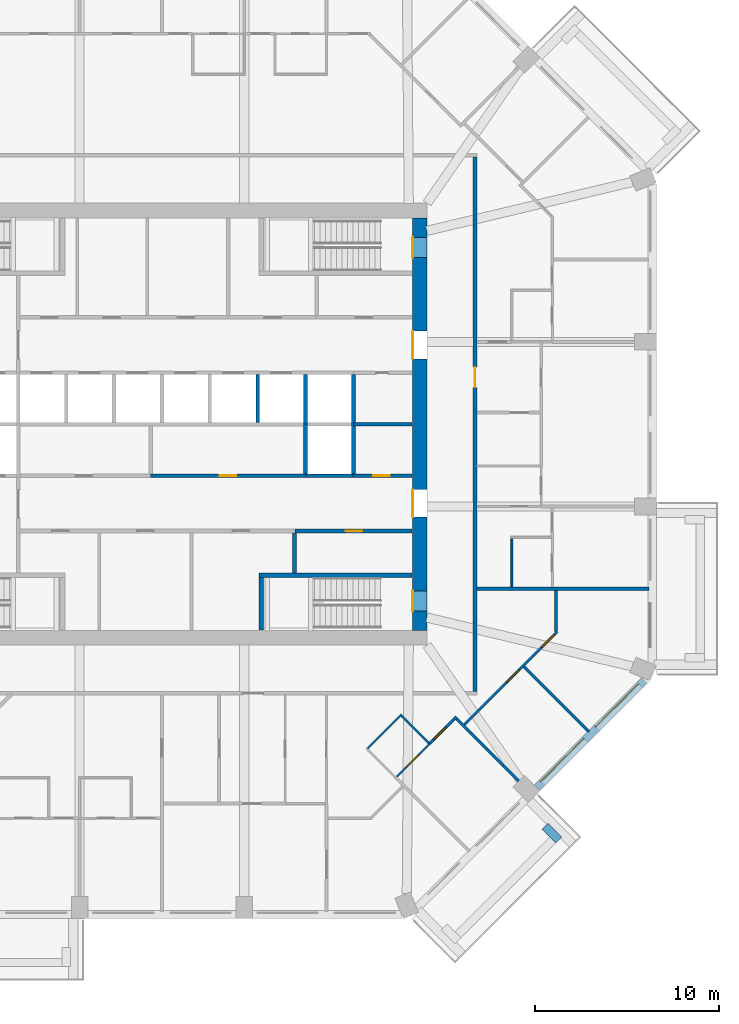
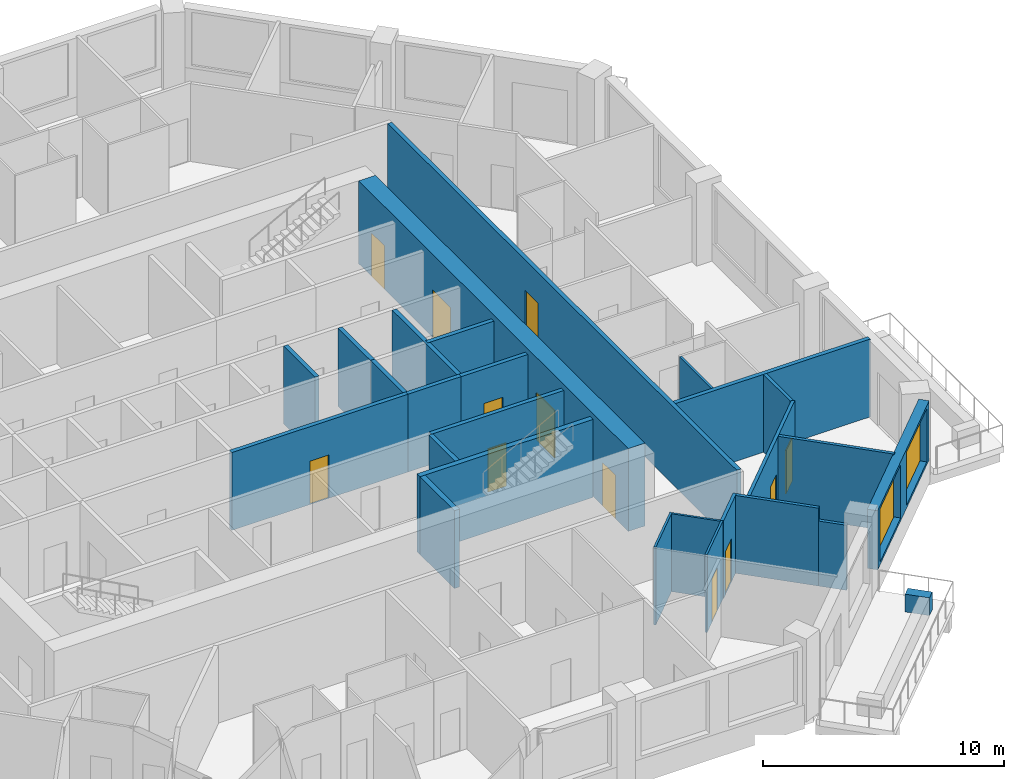
# One storey, part 6 of 12: 27 walls, 12 doors, 2 windows, 14 openings.
"""IFC4 building model written with IfcOpenShell, lengths in metres."""

from ifc_helpers import new_model, si_unit, direction, frame, frame_2d, origin, place, context, subcontext, project, spatial, rectangle, extrude, material, layer, layer_set, type_object, element, fill, save


model = new_model("IFC4")

# Units and contexts
model_context = context("Model", 3, precision=1e-05, world=origin(), true_north=direction((0.0, 1.0)))
body_context = subcontext(model_context, "Body", "Model", "MODEL_VIEW")
ifc_project = project(units=[si_unit("LENGTHUNIT", "METRE"), si_unit("AREAUNIT", "SQUARE_METRE"), si_unit("VOLUMEUNIT", "CUBIC_METRE"), si_unit("PLANEANGLEUNIT", "RADIAN"), si_unit("MASSUNIT", "GRAM", prefix="KILO")], contexts=[model_context])

# Site, building, storey
site_placement = place(None, origin())
site = spatial("IfcSite", under=ifc_project, at=site_placement, CompositionType="ELEMENT")
building_placement = place(site_placement, origin())
building = spatial("IfcBuilding", under=site, at=building_placement, Name="Msitu Wima Residences", CompositionType="ELEMENT")
storey_placement = place(building_placement, frame((0.0, 0.0, 123.300048828125)))
storey = spatial("IfcBuildingStorey", under=building, at=storey_placement, Name="L28", CompositionType="ELEMENT", Elevation=123.300048828125)

# Wall
ifc_material_1 = material(Name="Facing brick")
ifc_layer_1 = layer(ifc_material_1, 0.06494140625, Name="Facing brick")
ifc_material_2 = material(Name="Concrete C40/50", Category="concrete")
ifc_layer_2 = layer(ifc_material_2, 0.156005859375, Name="Concrete C40/50")
ifc_material_3 = material(Name="Waterproofing membrane")
ifc_layer_3 = layer(ifc_material_3, 0.00390625, Name="Waterproofing membrane")
ifc_material_4 = material(Name="Planting soil and planting")
ifc_layer_4 = layer(ifc_material_4, 0.22509765625, Name="Planting soil and planting")
ifc_layer_set_1 = layer_set([ifc_layer_1, ifc_layer_2, ifc_layer_3, ifc_layer_4], Name="Concrete C40/50")
wall_type_1 = type_object("IfcWallType", Name="Balcony planter PLANTER PL450", PredefinedType="USERDEFINED", material=ifc_layer_set_1)
wall_1_placement = place(storey_placement, frame((20.804443359375, -21.829833984375, 0.0), z_axis=(0.0, 0.0, 1.0), x_axis=(0.707106781187, -0.707106781187, 0.0)))
element("IfcWall", 1, at=wall_1_placement, inside=storey, type_object=wall_type_1, Name="Balcony planter SE0 L28", ObjectType="PLANTER", PredefinedType="USERDEFINED", context=body_context, shape_type="SweptSolid", body=[
    extrude(rectangle(XDim=1.050048828125, YDim=0.449951171875, at=frame_2d((0.52490234375, 0.0))), origin(), (0.0, 0.0, 1.0), 0.89990234375),
])

# Wall, openings, windows
ifc_material_5 = material(Name="Brick (red buff mix)", Category="masonry")
ifc_layer_5 = layer(ifc_material_5, 0.449951171875)
ifc_layer_set_2 = layer_set([ifc_layer_5], Name="Brick (red buff mix)")
wall_type_2 = type_object("IfcWallType", Name="Brick infill wall BW450", PredefinedType="SOLIDWALL", material=ifc_layer_set_2)
wall_2_placement = place(storey_placement, frame((20.380126953125, -19.743896484375, 0.89990234375), z_axis=(0.0, 0.0, 1.0), x_axis=(0.707106781187, 0.707106781187, 0.0)))
wall_2 = element("IfcWall", 2, at=wall_2_placement, inside=storey, type_object=wall_type_2, Name="Brick infill wall L28 SE1", PredefinedType="SOLIDWALL", context=body_context, shape_type="SweptSolid", body=[
    extrude(rectangle(XDim=8.251220703125, YDim=0.449951171875, at=frame_2d((4.12548828125, 0.0))), origin(), (0.0, 0.0, 1.0), 3.0),
])
opening_1_placement = place(wall_2_placement, frame((0.37548828125, 0.0, 0.14990234375)))
opening_1 = element("IfcOpeningElement", 3, at=opening_1_placement, cuts=wall_2, Name="Opening W27-29.023", PredefinedType="OPENING", context=body_context, shape_type="SweptSolid", body=[
    extrude(rectangle(XDim=3.300048828125, YDim=2.699951171875, at=frame_2d((1.64990234375, 1.35009765625))), frame((0.0, 0.23486328125, 0.0), z_axis=(0.0, -1.0, 0.0), x_axis=(1.0, 0.0, 0.0)), (0.0, 0.0, 1.0), 0.469970703125),
])
opening_2_placement = place(wall_2_placement, frame((4.57568359375, 0.0, 0.14990234375)))
opening_2 = element("IfcOpeningElement", 4, at=opening_2_placement, cuts=wall_2, Name="Opening W27-29.024", PredefinedType="OPENING", context=body_context, shape_type="SweptSolid", body=[
    extrude(rectangle(XDim=3.300048828125, YDim=2.699951171875, at=frame_2d((1.64990234375, 1.35009765625))), frame((0.0, 0.23486328125, 0.0), z_axis=(0.0, -1.0, 0.0), x_axis=(1.0, 0.0, 0.0)), (0.0, 0.0, 1.0), 0.469970703125),
])
ifc_material_6 = material(Name="Anodised aluminium, bronze finish, clear low-emissivity double glazing", Category="aluminium")
window_type = type_object("IfcWindowType", Name="Window W3300x2700", PartitioningType="DOUBLE_PANEL_VERTICAL", PredefinedType="WINDOW", material=ifc_material_6)
window_1_placement = place(opening_1_placement, origin())
window_1 = element("IfcWindow", 5, at=window_1_placement, inside=storey, type_object=window_type, Name="Window L28 SE1.1", OverallHeight=2.699951171875, OverallWidth=3.300048828125, PartitioningType="SINGLE_PANEL", PredefinedType="WINDOW", context=body_context, shape_type="SweptSolid", body=[
    extrude(rectangle(XDim=3.300048828125, YDim=2.699951171875, at=frame_2d((1.64990234375, 1.35009765625))), frame((0.0, 0.135009765625, 0.0), z_axis=(0.0, -1.0, 0.0), x_axis=(1.0, 0.0, 0.0)), (0.0, 0.0, 1.0), 0.06005859375),
])
fill(opening_1, window_1)
window_2_placement = place(opening_2_placement, origin())
window_2 = element("IfcWindow", 6, at=window_2_placement, inside=storey, type_object=window_type, Name="Window L28 SE1.2", OverallHeight=2.699951171875, OverallWidth=3.300048828125, PartitioningType="SINGLE_PANEL", PredefinedType="WINDOW", context=body_context, shape_type="SweptSolid", body=[
    extrude(rectangle(XDim=3.300048828125, YDim=2.699951171875, at=frame_2d((1.64990234375, 1.35009765625))), frame((0.0, 0.135009765625, 0.0), z_axis=(0.0, -1.0, 0.0), x_axis=(1.0, 0.0, 0.0)), (0.0, 0.0, 1.0), 0.06005859375),
])
fill(opening_2, window_2)

# Wall, openings, doors
ifc_material_7 = material(Name="Concrete C70/85", Category="concrete")
ifc_layer_6 = layer(ifc_material_7, 0.800048828125)
ifc_layer_set_3 = layer_set([ifc_layer_6], Name="Concrete C70/85")
wall_type_3 = type_object("IfcWallType", Name="Core wall CW800 C70/85", PredefinedType="SHEAR", material=ifc_layer_set_3)
wall_3_placement = place(storey_placement, frame((14.0, -11.199951171875, 0.0), z_axis=(0.0, 0.0, 1.0), x_axis=(0.0, 1.0, 0.0)))
wall_3 = element("IfcWall", 7, at=wall_3_placement, inside=storey, type_object=wall_type_3, Name="Core wall", PredefinedType="SHEAR", context=body_context, shape_type="SweptSolid", body=[
    extrude(rectangle(XDim=22.39990234375, YDim=0.800048828125, at=frame_2d((11.199951171875, 0.0))), origin(), (0.0, 0.0, 1.0), 4.199951171875),
])
opening_3_placement = place(wall_3_placement, frame((20.25, 0.0, 0.0)))
opening_3 = element("IfcOpeningElement", 8, at=opening_3_placement, cuts=wall_3, Name="Opening D27-29.035", PredefinedType="OPENING", context=body_context, shape_type="SweptSolid", body=[
    extrude(rectangle(XDim=1.10009765625, YDim=2.199951171875, at=frame_2d((0.550048828125, 1.10009765625))), frame((0.0, 0.409912109375, 0.0), z_axis=(0.0, -1.0, 0.0), x_axis=(1.0, 0.0, 0.0)), (0.0, 0.0, 1.0), 0.820068359375),
])
opening_4_placement = place(wall_3_placement, frame((1.050048828125, 0.0, 0.0)))
opening_4 = element("IfcOpeningElement", 9, at=opening_4_placement, cuts=wall_3, Name="Opening D27-29.036", PredefinedType="OPENING", context=body_context, shape_type="SweptSolid", body=[
    extrude(rectangle(XDim=1.10009765625, YDim=2.199951171875, at=frame_2d((0.550048828125, 1.10009765625))), frame((0.0, 0.409912109375, 0.0), z_axis=(0.0, -1.0, 0.0), x_axis=(1.0, 0.0, 0.0)), (0.0, 0.0, 1.0), 0.820068359375),
])
opening_5_placement = place(wall_3_placement, frame((14.75, 0.0, 0.0)))
opening_5 = element("IfcOpeningElement", 10, at=opening_5_placement, cuts=wall_3, Name="Opening D27-29.025", PredefinedType="OPENING", context=body_context, shape_type="SweptSolid", body=[
    extrude(rectangle(XDim=1.5, YDim=2.39990234375, at=frame_2d((0.75, 1.199951171875))), frame((0.0, 0.409912109375, 0.0), z_axis=(0.0, -1.0, 0.0), x_axis=(1.0, 0.0, 0.0)), (0.0, 0.0, 1.0), 0.820068359375),
])
opening_6_placement = place(wall_3_placement, frame((6.14990234375, 0.0, 0.0)))
opening_6 = element("IfcOpeningElement", 11, at=opening_6_placement, cuts=wall_3, Name="Opening D27-29.026", PredefinedType="OPENING", context=body_context, shape_type="SweptSolid", body=[
    extrude(rectangle(XDim=1.5, YDim=2.39990234375, at=frame_2d((0.75, 1.199951171875))), frame((0.0, 0.409912109375, 0.0), z_axis=(0.0, -1.0, 0.0), x_axis=(1.0, 0.0, 0.0)), (0.0, 0.0, 1.0), 0.820068359375),
])
ifc_material_8 = material(Name="Steel framed glazed door, fire resisting", Category="steel")
door_type_1 = type_object("IfcDoorType", Name="Lobby door D07 1500x2400", OperationType="DOUBLE_DOOR_SINGLE_SWING", PredefinedType="DOOR", material=ifc_material_8)
door_1_placement = place(opening_5_placement, origin())
door_1 = element("IfcDoor", 12, at=door_1_placement, inside=storey, type_object=door_type_1, Name="Lobby door", OperationType="DOUBLE_DOOR_SINGLE_SWING", OverallHeight=2.39990234375, OverallWidth=1.5, PredefinedType="DOOR", context=body_context, shape_type="SweptSolid", body=[
    extrude(rectangle(XDim=1.5, YDim=2.39990234375, at=frame_2d((0.75, 1.199951171875))), frame((0.0, 0.39501953125, 0.0), z_axis=(0.0, -1.0, 0.0), x_axis=(1.0, 0.0, 0.0)), (0.0, 0.0, 1.0), 0.050048828125),
])
fill(opening_5, door_1)
door_2_placement = place(opening_6_placement, origin())
door_2 = element("IfcDoor", 13, at=door_2_placement, inside=storey, type_object=door_type_1, Name="Lobby door", OperationType="DOUBLE_DOOR_SINGLE_SWING", OverallHeight=2.39990234375, OverallWidth=1.5, PredefinedType="DOOR", context=body_context, shape_type="SweptSolid", body=[
    extrude(rectangle(XDim=1.5, YDim=2.39990234375, at=frame_2d((0.75, 1.199951171875))), frame((0.0, 0.39501953125, 0.0), z_axis=(0.0, -1.0, 0.0), x_axis=(1.0, 0.0, 0.0)), (0.0, 0.0, 1.0), 0.050048828125),
])
fill(opening_6, door_2)
ifc_material_9 = material(Name="Steel door, fire resisting, panic bar", Category="steel")
door_type_2 = type_object("IfcDoorType", Name="Stair door D06 1100x2200", OperationType="SINGLE_SWING_LEFT", PredefinedType="DOOR", material=ifc_material_9)
door_3_placement = place(opening_3_placement, origin())
door_3 = element("IfcDoor", 14, at=door_3_placement, inside=storey, type_object=door_type_2, Name="Stair door", OperationType="SINGLE_SWING_LEFT", OverallHeight=2.199951171875, OverallWidth=1.10009765625, PredefinedType="DOOR", context=body_context, shape_type="SweptSolid", body=[
    extrude(rectangle(XDim=1.10009765625, YDim=2.199951171875, at=frame_2d((0.550048828125, 1.10009765625))), frame((0.0, 0.39501953125, 0.0), z_axis=(0.0, -1.0, 0.0), x_axis=(1.0, 0.0, 0.0)), (0.0, 0.0, 1.0), 0.050048828125),
])
fill(opening_3, door_3)
door_4_placement = place(opening_4_placement, origin())
door_4 = element("IfcDoor", 15, at=door_4_placement, inside=storey, type_object=door_type_2, Name="Stair door", OperationType="SINGLE_SWING_RIGHT", OverallHeight=2.199951171875, OverallWidth=1.10009765625, PredefinedType="DOOR", context=body_context, shape_type="SweptSolid", body=[
    extrude(rectangle(XDim=1.10009765625, YDim=2.199951171875, at=frame_2d((0.550048828125, 1.10009765625))), frame((0.0, 0.39501953125, 0.0), z_axis=(0.0, -1.0, 0.0), x_axis=(1.0, 0.0, 0.0)), (0.0, 0.0, 1.0), 0.050048828125),
])
fill(opening_4, door_4)

# Wall, opening, door
ifc_material_10 = material(Name="Plaster")
ifc_layer_7 = layer(ifc_material_10, 0.011962890625, Name="Plaster")
ifc_material_11 = material(Name="Concrete blockwork", Category="masonry")
ifc_layer_8 = layer(ifc_material_11, 0.176025390625, Name="Concrete blockwork")
ifc_layer_9 = layer(ifc_material_10, 0.011962890625, Name="Plaster")
ifc_layer_set_4 = layer_set([ifc_layer_7, ifc_layer_8, ifc_layer_9], Name="Concrete blockwork")
wall_type_4 = type_object("IfcWallType", Name="Corridor wall FW200", PredefinedType="PARTITIONING", material=ifc_layer_set_4)
wall_4_placement = place(storey_placement, frame((17.0, -14.5, 0.0), z_axis=(0.0, 0.0, 1.0), x_axis=(0.0, 1.0, 0.0)))
wall_4 = element("IfcWall", 16, at=wall_4_placement, inside=storey, type_object=wall_type_4, Name="Corridor wall", PredefinedType="PARTITIONING", context=body_context, shape_type="SweptSolid", body=[
    extrude(rectangle(XDim=29.0, YDim=0.199951171875, at=frame_2d((14.5, 0.0))), origin(), (0.0, 0.0, 1.0), 3.949951171875),
])
opening_7_placement = place(wall_4_placement, frame((16.5, 0.0, 0.0)))
opening_7 = element("IfcOpeningElement", 17, at=opening_7_placement, cuts=wall_4, Name="Opening D27-29.008", PredefinedType="OPENING", context=body_context, shape_type="SweptSolid", body=[
    extrude(rectangle(XDim=1.10009765625, YDim=2.39990234375, at=frame_2d((0.550048828125, 1.199951171875))), frame((0.0, 0.10986328125, 0.0), z_axis=(0.0, -1.0, 0.0), x_axis=(1.0, 0.0, 0.0)), (0.0, 0.0, 1.0), 0.219970703125),
])
ifc_material_12 = material(Name="Timber flush door, fire resisting, self-closing", Category="wood")
door_type_3 = type_object("IfcDoorType", Name="Flat entrance door D01 1100x2400", OperationType="SINGLE_SWING_LEFT", PredefinedType="DOOR", material=ifc_material_12)
door_5_placement = place(opening_7_placement, origin())
door_5 = element("IfcDoor", 18, at=door_5_placement, inside=storey, type_object=door_type_3, Name="Flat entrance door", OperationType="SINGLE_SWING_LEFT", OverallHeight=2.39990234375, OverallWidth=1.10009765625, PredefinedType="DOOR", context=body_context, shape_type="SweptSolid", body=[
    extrude(rectangle(XDim=1.10009765625, YDim=2.39990234375, at=frame_2d((0.550048828125, 1.199951171875))), frame((0.0, 0.02490234375, 0.0), z_axis=(0.0, -1.0, 0.0), x_axis=(1.0, 0.0, 0.0)), (0.0, 0.0, 1.0), 0.050048828125),
])
fill(opening_7, door_5)

ifc_layer_10 = layer(ifc_material_10, 0.011962890625, Name="Plaster")
ifc_layer_11 = layer(ifc_material_11, 0.1259765625, Name="Concrete blockwork")
ifc_layer_12 = layer(ifc_material_10, 0.011962890625, Name="Plaster")
ifc_layer_set_5 = layer_set([ifc_layer_10, ifc_layer_11, ifc_layer_12], Name="Concrete blockwork")
wall_type_5 = type_object("IfcWallType", Name="Partition PW150", PredefinedType="PARTITIONING", material=ifc_layer_set_5)
wall_5_placement = place(storey_placement, frame((14.547119140625, -17.339111328125, 0.0), z_axis=(0.0, 0.0, 1.0), x_axis=(0.707106781187, 0.707106781187, 0.0)))
wall_5 = element("IfcWall", 19, at=wall_5_placement, inside=storey, type_object=wall_type_5, Name="Partition", PredefinedType="PARTITIONING", context=body_context, shape_type="SweptSolid", body=[
    extrude(rectangle(XDim=2.049072265625, YDim=0.14990234375, at=frame_2d((1.0244140625, 0.0))), origin(), (0.0, 0.0, 1.0), 3.949951171875),
])
opening_8_placement = place(wall_5_placement, frame((0.300048828125, 0.0, 0.0)))
opening_8 = element("IfcOpeningElement", 20, at=opening_8_placement, cuts=wall_5, Name="Opening D27-29.075", PredefinedType="OPENING", context=body_context, shape_type="SweptSolid", body=[
    extrude(rectangle(XDim=0.949951171875, YDim=2.199951171875, at=frame_2d((0.47509765625, 1.10009765625))), frame((0.0, 0.0849609375, 0.0), z_axis=(0.0, -1.0, 0.0), x_axis=(1.0, 0.0, 0.0)), (0.0, 0.0, 1.0), 0.169921875),
])
ifc_material_13 = material(Name="Timber flush door", Category="wood")
door_type_4 = type_object("IfcDoorType", Name="Room door D12 950x2200", OperationType="SINGLE_SWING_LEFT", PredefinedType="DOOR", material=ifc_material_13)
door_6_placement = place(opening_8_placement, origin())
door_6 = element("IfcDoor", 21, at=door_6_placement, inside=storey, type_object=door_type_4, Name="Room door", OperationType="SINGLE_SWING_LEFT", OverallHeight=2.199951171875, OverallWidth=0.949951171875, PredefinedType="DOOR", context=body_context, shape_type="SweptSolid", body=[
    extrude(rectangle(XDim=0.949951171875, YDim=2.199951171875, at=frame_2d((0.47509765625, 1.10009765625))), frame((0.0, 0.02490234375, 0.0), z_axis=(0.0, -1.0, 0.0), x_axis=(1.0, 0.0, 0.0)), (0.0, 0.0, 1.0), 0.050048828125),
])
fill(opening_8, door_6)

# Walls
wall_6_placement = place(storey_placement, frame((15.99609375, -15.99609375, 0.0), z_axis=(0.0, 0.0, 1.0), x_axis=(0.707106781187, -0.707106781187, 0.0)))
element("IfcWall", 22, at=wall_6_placement, inside=storey, type_object=wall_type_5, Name="Partition", PredefinedType="PARTITIONING", context=body_context, shape_type="SweptSolid", body=[
    extrude(rectangle(XDim=3.56591796875, YDim=0.14990234375, at=frame_2d((1.782958984375, 0.0))), origin(), (0.0, 0.0, 1.0), 3.949951171875),
])
wall_7_placement = place(storey_placement, frame((18.517578125, -18.517578125, 0.0), z_axis=(0.0, 0.0, 1.0), x_axis=(0.707106781187, -0.707106781187, 0.0)))
element("IfcWall", 23, at=wall_7_placement, inside=storey, type_object=wall_type_5, Name="Partition", PredefinedType="PARTITIONING", context=body_context, shape_type="SweptSolid", body=[
    extrude(rectangle(XDim=1.209228515625, YDim=0.14990234375, at=frame_2d((0.6044921875, 0.0))), origin(), (0.0, 0.0, 1.0), 3.300048828125),
])

# Wall, openings, doors
wall_8_placement = place(storey_placement, frame((16.42041015625, -16.314453125, 0.0), z_axis=(0.0, 0.0, 1.0), x_axis=(0.707106781187, 0.707106781187, 0.0)))
wall_8 = element("IfcWall", 24, at=wall_8_placement, inside=storey, type_object=wall_type_5, Name="Partition", PredefinedType="PARTITIONING", context=body_context, shape_type="SweptSolid", body=[
    extrude(rectangle(XDim=7.117431640625, YDim=0.14990234375, at=frame_2d((3.55859375, 0.0))), origin(), (0.0, 0.0, 1.0), 3.949951171875),
])
opening_9_placement = place(wall_8_placement, frame((3.25, 0.0, 0.0)))
opening_9 = element("IfcOpeningElement", 25, at=opening_9_placement, cuts=wall_8, Name="Opening D27-29.074", PredefinedType="OPENING", context=body_context, shape_type="SweptSolid", body=[
    extrude(rectangle(XDim=0.949951171875, YDim=2.199951171875, at=frame_2d((0.47509765625, 1.10009765625))), frame((0.0, 0.0849609375, 0.0), z_axis=(0.0, -1.0, 0.0), x_axis=(1.0, 0.0, 0.0)), (0.0, 0.0, 1.0), 0.169921875),
])
opening_10_placement = place(wall_8_placement, frame((5.949951171875, 0.0, 0.0)))
opening_10 = element("IfcOpeningElement", 26, at=opening_10_placement, cuts=wall_8, Name="Opening D27-29.077", PredefinedType="OPENING", context=body_context, shape_type="SweptSolid", body=[
    extrude(rectangle(XDim=0.949951171875, YDim=2.199951171875, at=frame_2d((0.47509765625, 1.10009765625))), frame((0.0, 0.0849609375, 0.0), z_axis=(0.0, -1.0, 0.0), x_axis=(1.0, 0.0, 0.0)), (0.0, 0.0, 1.0), 0.169921875),
])
door_7_placement = place(opening_9_placement, origin())
door_7 = element("IfcDoor", 27, at=door_7_placement, inside=storey, type_object=door_type_4, Name="Room door", OperationType="SINGLE_SWING_LEFT", OverallHeight=2.199951171875, OverallWidth=0.949951171875, PredefinedType="DOOR", context=body_context, shape_type="SweptSolid", body=[
    extrude(rectangle(XDim=0.949951171875, YDim=2.199951171875, at=frame_2d((0.47509765625, 1.10009765625))), frame((0.0, 0.02490234375, 0.0), z_axis=(0.0, -1.0, 0.0), x_axis=(1.0, 0.0, 0.0)), (0.0, 0.0, 1.0), 0.050048828125),
])
fill(opening_9, door_7)
door_8_placement = place(opening_10_placement, origin())
door_8 = element("IfcDoor", 28, at=door_8_placement, inside=storey, type_object=door_type_4, Name="Room door", OperationType="SINGLE_SWING_RIGHT", OverallHeight=2.199951171875, OverallWidth=0.949951171875, PredefinedType="DOOR", context=body_context, shape_type="SweptSolid", body=[
    extrude(rectangle(XDim=0.949951171875, YDim=2.199951171875, at=frame_2d((0.47509765625, 1.10009765625))), frame((0.0, 0.02490234375, 0.0), z_axis=(0.0, -1.0, 0.0), x_axis=(1.0, 0.0, 0.0)), (0.0, 0.0, 1.0), 0.050048828125),
])
fill(opening_10, door_8)

# Walls
wall_9_placement = place(storey_placement, frame((19.6689453125, -13.171875, 0.0), z_axis=(0.0, 0.0, 1.0), x_axis=(0.707106781187, -0.707106781187, 0.0)))
element("IfcWall", 29, at=wall_9_placement, inside=storey, type_object=wall_type_5, Name="Partition", PredefinedType="PARTITIONING", context=body_context, shape_type="SweptSolid", body=[
    extrude(rectangle(XDim=4.980224609375, YDim=0.14990234375, at=frame_2d((2.490234375, 0.0))), origin(), (0.0, 0.0, 1.0), 3.949951171875),
])
wall_10_placement = place(storey_placement, frame((21.39990234375, -11.259765625, 0.0), z_axis=(0.0, 0.0, 1.0), x_axis=(0.0, 1.0, 0.0)))
element("IfcWall", 30, at=wall_10_placement, inside=storey, type_object=wall_type_5, Name="Partition", PredefinedType="PARTITIONING", context=body_context, shape_type="SweptSolid", body=[
    extrude(rectangle(XDim=2.222412109375, YDim=0.14990234375, at=frame_2d((1.111328125, 0.0))), origin(), (0.0, 0.0, 1.0), 3.949951171875),
])
ifc_layer_13 = layer(ifc_material_10, 0.011962890625, Name="Plaster")
ifc_material_14 = material(Name="Dense concrete blockwork", Category="masonry")
ifc_layer_14 = layer(ifc_material_14, 0.176025390625, Name="Dense concrete blockwork")
ifc_layer_15 = layer(ifc_material_10, 0.011962890625, Name="Plaster")
ifc_layer_set_6 = layer_set([ifc_layer_13, ifc_layer_14, ifc_layer_15], Name="Dense concrete blockwork")
wall_type_6 = type_object("IfcWallType", Name="Party wall PW200", PredefinedType="PARTITIONING", material=ifc_layer_set_6)
wall_11_placement = place(storey_placement, frame((17.10009765625, -8.937255859375, 0.0), z_axis=(0.0, 0.0, 1.0), x_axis=(1.0, 0.0, 0.0)))
element("IfcWall", 31, at=wall_11_placement, inside=storey, type_object=wall_type_6, Name="Party wall", PredefinedType="PARTITIONING", context=body_context, shape_type="SweptSolid", body=[
    extrude(rectangle(XDim=9.35498046875, YDim=0.199951171875, at=frame_2d((4.677490234375, 0.0))), origin(), (0.0, 0.0, 1.0), 3.949951171875),
])

# Wall, opening, door
ifc_layer_16 = layer(ifc_material_10, 0.011962890625, Name="Plaster")
ifc_material_15 = material(Name="Reinforced concrete blockwork", Category="masonry")
ifc_layer_17 = layer(ifc_material_15, 0.176025390625, Name="Reinforced concrete blockwork")
ifc_layer_18 = layer(ifc_material_10, 0.011962890625, Name="Plaster")
ifc_layer_set_7 = layer_set([ifc_layer_16, ifc_layer_17, ifc_layer_18], Name="Reinforced concrete blockwork")
wall_type_7 = type_object("IfcWallType", Name="Plant and riser wall PL200", PredefinedType="PARTITIONING", material=ifc_layer_set_7)
wall_12_placement = place(storey_placement, frame((-0.6201171875, -2.800048828125, 0.0), z_axis=(0.0, 0.0, 1.0), x_axis=(1.0, 0.0, 0.0)))
wall_12 = element("IfcWall", 32, at=wall_12_placement, inside=storey, type_object=wall_type_7, Name="Plant and riser wall", PredefinedType="PARTITIONING", context=body_context, shape_type="SweptSolid", body=[
    extrude(rectangle(XDim=8.440185546875, YDim=0.199951171875, at=frame_2d((4.22021484375, 0.0))), origin(), (0.0, 0.0, 1.0), 3.949951171875),
])
opening_11_placement = place(wall_12_placement, frame((3.75, 0.0, 0.0)))
opening_11 = element("IfcOpeningElement", 33, at=opening_11_placement, cuts=wall_12, Name="Opening D27-29.030", PredefinedType="OPENING", context=body_context, shape_type="SweptSolid", body=[
    extrude(rectangle(XDim=0.89990234375, YDim=2.199951171875, at=frame_2d((0.449951171875, 1.10009765625))), frame((0.0, 0.10986328125, 0.0), z_axis=(0.0, -1.0, 0.0), x_axis=(1.0, 0.0, 0.0)), (0.0, 0.0, 1.0), 0.219970703125),
])
door_type_5 = type_object("IfcDoorType", Name="Service door D05 900x2200", OperationType="SINGLE_SWING_LEFT", PredefinedType="DOOR", material=ifc_material_13)
door_9_placement = place(opening_11_placement, origin())
door_9 = element("IfcDoor", 34, at=door_9_placement, inside=storey, type_object=door_type_5, Name="Service door", OperationType="SINGLE_SWING_LEFT", OverallHeight=2.199951171875, OverallWidth=0.89990234375, PredefinedType="DOOR", context=body_context, shape_type="SweptSolid", body=[
    extrude(rectangle(XDim=0.89990234375, YDim=2.199951171875, at=frame_2d((0.449951171875, 1.10009765625))), frame((0.0, 0.02490234375, 0.0), z_axis=(0.0, -1.0, 0.0), x_axis=(1.0, 0.0, 0.0)), (0.0, 0.0, 1.0), 0.050048828125),
])
fill(opening_11, door_9)

wall_13_placement = place(storey_placement, frame((7.219970703125, -5.800048828125, 0.0), z_axis=(0.0, 0.0, 1.0), x_axis=(1.0, 0.0, 0.0)))
wall_13 = element("IfcWall", 35, at=wall_13_placement, inside=storey, type_object=wall_type_7, Name="Plant and riser wall", PredefinedType="PARTITIONING", context=body_context, shape_type="SweptSolid", body=[
    extrude(rectangle(XDim=6.35009765625, YDim=0.199951171875, at=frame_2d((3.175048828125, 0.0))), origin(), (0.0, 0.0, 1.0), 3.949951171875),
])
opening_12_placement = place(wall_13_placement, frame((2.75, 0.0, 0.0)))
opening_12 = element("IfcOpeningElement", 36, at=opening_12_placement, cuts=wall_13, Name="Opening D27-29.024", PredefinedType="OPENING", context=body_context, shape_type="SweptSolid", body=[
    extrude(rectangle(XDim=0.89990234375, YDim=2.199951171875, at=frame_2d((0.449951171875, 1.10009765625))), frame((0.0, 0.10986328125, 0.0), z_axis=(0.0, -1.0, 0.0), x_axis=(1.0, 0.0, 0.0)), (0.0, 0.0, 1.0), 0.219970703125),
])
door_10_placement = place(opening_12_placement, origin())
door_10 = element("IfcDoor", 37, at=door_10_placement, inside=storey, type_object=door_type_5, Name="Service door", OperationType="SINGLE_SWING_RIGHT", OverallHeight=2.199951171875, OverallWidth=0.89990234375, PredefinedType="DOOR", context=body_context, shape_type="SweptSolid", body=[
    extrude(rectangle(XDim=0.89990234375, YDim=2.199951171875, at=frame_2d((0.449951171875, 1.10009765625))), frame((0.0, 0.02490234375, 0.0), z_axis=(0.0, -1.0, 0.0), x_axis=(1.0, 0.0, 0.0)), (0.0, 0.0, 1.0), 0.050048828125),
])
fill(opening_12, door_10)

# Wall
wall_14_placement = place(storey_placement, frame((7.199951171875, -8.074951171875, 0.0), z_axis=(0.0, 0.0, 1.0), x_axis=(0.0, 1.0, 0.0)))
element("IfcWall", 38, at=wall_14_placement, inside=storey, type_object=wall_type_7, Name="Plant and riser wall", PredefinedType="PARTITIONING", context=body_context, shape_type="SweptSolid", body=[
    extrude(rectangle(XDim=2.175048828125, YDim=0.199951171875, at=frame_2d((1.08740234375, 0.0))), origin(), (0.0, 0.0, 1.0), 3.949951171875),
])

# Wall, opening, door
wall_15_placement = place(storey_placement, frame((10.3798828125, -2.800048828125, 0.0), z_axis=(0.0, 0.0, 1.0), x_axis=(1.0, 0.0, 0.0)))
wall_15 = element("IfcWall", 39, at=wall_15_placement, inside=storey, type_object=wall_type_7, Name="Plant and riser wall", PredefinedType="PARTITIONING", context=body_context, shape_type="SweptSolid", body=[
    extrude(rectangle(XDim=3.190185546875, YDim=0.199951171875, at=frame_2d((1.59521484375, 0.0))), origin(), (0.0, 0.0, 1.0), 3.949951171875),
])
opening_13_placement = place(wall_15_placement, frame((1.10009765625, 0.0, 0.0)))
opening_13 = element("IfcOpeningElement", 40, at=opening_13_placement, cuts=wall_15, Name="Opening D27-29.011", PredefinedType="OPENING", context=body_context, shape_type="SweptSolid", body=[
    extrude(rectangle(XDim=0.89990234375, YDim=2.199951171875, at=frame_2d((0.449951171875, 1.10009765625))), frame((0.0, 0.10986328125, 0.0), z_axis=(0.0, -1.0, 0.0), x_axis=(1.0, 0.0, 0.0)), (0.0, 0.0, 1.0), 0.219970703125),
])
door_11_placement = place(opening_13_placement, origin())
door_11 = element("IfcDoor", 41, at=door_11_placement, inside=storey, type_object=door_type_5, Name="Service door", OperationType="SINGLE_SWING_LEFT", OverallHeight=2.199951171875, OverallWidth=0.89990234375, PredefinedType="DOOR", context=body_context, shape_type="SweptSolid", body=[
    extrude(rectangle(XDim=0.89990234375, YDim=2.199951171875, at=frame_2d((0.449951171875, 1.10009765625))), frame((0.0, 0.02490234375, 0.0), z_axis=(0.0, -1.0, 0.0), x_axis=(1.0, 0.0, 0.0)), (0.0, 0.0, 1.0), 0.050048828125),
])
fill(opening_13, door_11)

# Walls
wall_16_placement = place(storey_placement, frame((10.39990234375, 0.0, 0.0), z_axis=(0.0, 0.0, 1.0), x_axis=(1.0, 0.0, 0.0)))
element("IfcWall", 42, at=wall_16_placement, inside=storey, type_object=wall_type_7, Name="Plant and riser wall", PredefinedType="PARTITIONING", context=body_context, shape_type="SweptSolid", body=[
    extrude(rectangle(XDim=3.170166015625, YDim=0.199951171875, at=frame_2d((1.5849609375, 0.0))), origin(), (0.0, 0.0, 1.0), 3.949951171875),
])
ifc_material_16 = material(Name="Fire-rated board")
ifc_layer_19 = layer(ifc_material_16, 0.02490234375, Name="Fire-rated board")
ifc_material_17 = material(Name="Light-gauge stud framing with mineral wool")
ifc_layer_20 = layer(ifc_material_17, 0.14990234375, Name="Light-gauge stud framing with mineral wool")
ifc_layer_21 = layer(ifc_material_16, 0.02490234375, Name="Fire-rated board")
ifc_layer_set_8 = layer_set([ifc_layer_19, ifc_layer_20, ifc_layer_21], Name="Light-gauge stud framing with mineral wool")
wall_type_8 = type_object("IfcWallType", Name="Shaft wall SH200", PredefinedType="PARTITIONING", material=ifc_layer_set_8)
wall_17_placement = place(storey_placement, frame((5.199951171875, 0.10009765625, 0.0), z_axis=(0.0, 0.0, 1.0), x_axis=(0.0, 1.0, 0.0)))
element("IfcWall", 43, at=wall_17_placement, inside=storey, type_object=wall_type_8, Name="Shaft wall", PredefinedType="PARTITIONING", context=body_context, shape_type="SweptSolid", body=[
    extrude(rectangle(XDim=2.599853515625, YDim=0.199951171875, at=frame_2d((1.2998046875, 0.0))), origin(), (0.0, 0.0, 1.0), 3.949951171875),
])
wall_18_placement = place(storey_placement, frame((7.800048828125, -2.699951171875, 0.0), z_axis=(0.0, 0.0, 1.0), x_axis=(0.0, 1.0, 0.0)))
element("IfcWall", 44, at=wall_18_placement, inside=storey, type_object=wall_type_8, Name="Shaft wall", PredefinedType="PARTITIONING", context=body_context, shape_type="SweptSolid", body=[
    extrude(rectangle(XDim=2.699951171875, YDim=0.199951171875, at=frame_2d((1.35009765625, 0.0))), origin(), (0.0, 0.0, 1.0), 3.949951171875),
])
wall_19_placement = place(storey_placement, frame((7.820068359375, -2.800048828125, 0.0), z_axis=(0.0, 0.0, 1.0), x_axis=(1.0, 0.0, 0.0)))
element("IfcWall", 45, at=wall_19_placement, inside=storey, type_object=wall_type_8, Name="Shaft wall", PredefinedType="PARTITIONING", context=body_context, shape_type="SweptSolid", body=[
    extrude(rectangle(XDim=2.559814453125, YDim=0.199951171875, at=frame_2d((1.27978515625, 0.0))), origin(), (0.0, 0.0, 1.0), 3.949951171875),
])
wall_20_placement = place(storey_placement, frame((7.800048828125, 0.0, 0.0), z_axis=(0.0, 0.0, 1.0), x_axis=(0.0, 1.0, 0.0)))
element("IfcWall", 46, at=wall_20_placement, inside=storey, type_object=wall_type_8, Name="Shaft wall", PredefinedType="PARTITIONING", context=body_context, shape_type="SweptSolid", body=[
    extrude(rectangle(XDim=2.699951171875, YDim=0.199951171875, at=frame_2d((1.35009765625, 0.0))), origin(), (0.0, 0.0, 1.0), 3.949951171875),
])
wall_21_placement = place(storey_placement, frame((10.39990234375, -2.699951171875, 0.0), z_axis=(0.0, 0.0, 1.0), x_axis=(0.0, 1.0, 0.0)))
element("IfcWall", 47, at=wall_21_placement, inside=storey, type_object=wall_type_8, Name="Shaft wall", PredefinedType="PARTITIONING", context=body_context, shape_type="SweptSolid", body=[
    extrude(rectangle(XDim=5.39990234375, YDim=0.199951171875, at=frame_2d((2.699951171875, 0.0))), origin(), (0.0, 0.0, 1.0), 3.949951171875),
])
ifc_material_18 = material(Name="Concrete C50/60", Category="concrete")
ifc_layer_22 = layer(ifc_material_18, 0.25)
ifc_layer_set_9 = layer_set([ifc_layer_22], Name="Concrete C50/60")
wall_type_9 = type_object("IfcWallType", Name="Stair enclosure wall SW250", PredefinedType="SHEAR", material=ifc_layer_set_9)
wall_22_placement = place(storey_placement, frame((5.39990234375, -11.169921875, 0.0), z_axis=(0.0, 0.0, 1.0), x_axis=(0.0, 1.0, 0.0)))
element("IfcWall", 48, at=wall_22_placement, inside=storey, type_object=wall_type_9, Name="Stair enclosure wall", PredefinedType="SHEAR", context=body_context, shape_type="SweptSolid", body=[
    extrude(rectangle(XDim=2.844970703125, YDim=0.25, at=frame_2d((1.42236328125, 0.0))), origin(), (0.0, 0.0, 1.0), 3.949951171875),
])
wall_23_placement = place(storey_placement, frame((5.27490234375, -8.199951171875, 0.0), z_axis=(0.0, 0.0, 1.0), x_axis=(1.0, 0.0, 0.0)))
element("IfcWall", 49, at=wall_23_placement, inside=storey, type_object=wall_type_9, Name="Stair enclosure wall", PredefinedType="SHEAR", context=body_context, shape_type="SweptSolid", body=[
    extrude(rectangle(XDim=8.295166015625, YDim=0.25, at=frame_2d((4.1474609375, 0.0))), origin(), (0.0, 0.0, 1.0), 3.949951171875),
])
ifc_material_19 = material(Name="Ceramic tiles")
ifc_layer_23 = layer(ifc_material_19, 0.008056640625, Name="Ceramic tiles")
ifc_material_20 = material(Name="Moisture-resistant board")
ifc_layer_24 = layer(ifc_material_20, 0.012451171875, Name="Moisture-resistant board")
ifc_layer_25 = layer(ifc_material_17, 0.06689453125, Name="Light-gauge stud framing with mineral wool")
ifc_layer_26 = layer(ifc_material_20, 0.012451171875, Name="Moisture-resistant board")
ifc_layer_set_10 = layer_set([ifc_layer_23, ifc_layer_24, ifc_layer_25, ifc_layer_26], Name="Light-gauge stud framing with mineral wool")
wall_type_10 = type_object("IfcWallType", Name="Wet wall PW100", PredefinedType="PARTITIONING", material=ifc_layer_set_10)
wall_24_placement = place(storey_placement, frame((11.17431640625, -17.6005859375, 0.0), z_axis=(0.0, 0.0, 1.0), x_axis=(0.707106781187, 0.707106781187, 0.0)))
element("IfcWall", 50, at=wall_24_placement, inside=storey, type_object=wall_type_10, Name="Wet wall", PredefinedType="PARTITIONING", context=body_context, shape_type="SweptSolid", body=[
    extrude(rectangle(XDim=2.599853515625, YDim=0.10009765625, at=frame_2d((1.2998046875, 0.0))), origin(), (0.0, 0.0, 1.0), 3.949951171875),
])

# Wall, opening, door
wall_25_placement = place(storey_placement, frame((12.74755859375, -19.138671875, 0.0), z_axis=(0.0, 0.0, 1.0), x_axis=(0.707106781187, 0.707106781187, 0.0)))
wall_25 = element("IfcWall", 51, at=wall_25_placement, inside=storey, type_object=wall_type_10, Name="Wet wall", PredefinedType="PARTITIONING", context=body_context, shape_type="SweptSolid", body=[
    extrude(rectangle(XDim=2.544921875, YDim=0.10009765625, at=frame_2d((1.2724609375, 0.0))), origin(), (0.0, 0.0, 1.0), 3.949951171875),
])
opening_14_placement = place(wall_25_placement, frame((0.75, 0.0, 0.0)))
opening_14 = element("IfcOpeningElement", 52, at=opening_14_placement, cuts=wall_25, Name="Opening D27-29.076", PredefinedType="OPENING", context=body_context, shape_type="SweptSolid", body=[
    extrude(rectangle(XDim=0.89990234375, YDim=2.199951171875, at=frame_2d((0.449951171875, 1.10009765625))), frame((0.0, 0.06005859375, 0.0), z_axis=(0.0, -1.0, 0.0), x_axis=(1.0, 0.0, 0.0)), (0.0, 0.0, 1.0), 0.1201171875),
])
ifc_material_21 = material(Name="Timber flush door, moisture resistant", Category="wood")
door_type_6 = type_object("IfcDoorType", Name="Bathroom door D03 900x2200", OperationType="SINGLE_SWING_LEFT", PredefinedType="DOOR", material=ifc_material_21)
door_12_placement = place(opening_14_placement, origin())
door_12 = element("IfcDoor", 53, at=door_12_placement, inside=storey, type_object=door_type_6, Name="Bathroom door", OperationType="SINGLE_SWING_LEFT", OverallHeight=2.199951171875, OverallWidth=0.89990234375, PredefinedType="DOOR", context=body_context, shape_type="SweptSolid", body=[
    extrude(rectangle(XDim=0.89990234375, YDim=2.199951171875, at=frame_2d((0.449951171875, 1.10009765625))), frame((0.0, 0.02490234375, 0.0), z_axis=(0.0, -1.0, 0.0), x_axis=(1.0, 0.0, 0.0)), (0.0, 0.0, 1.0), 0.050048828125),
])
fill(opening_14, door_12)

# Walls
wall_26_placement = place(storey_placement, frame((13.0126953125, -15.8330078125, 0.0), z_axis=(0.0, 0.0, 1.0), x_axis=(0.707164905125, -0.70704865247, 0.0)))
element("IfcWall", 54, at=wall_26_placement, inside=storey, type_object=wall_type_10, Name="Wet wall", PredefinedType="PARTITIONING", context=body_context, shape_type="SweptSolid", body=[
    extrude(rectangle(XDim=2.10009765625, YDim=0.10009765625, at=frame_2d((1.050048828125, 0.0))), origin(), (0.0, 0.0, 1.0), 3.949951171875),
])
wall_27_placement = place(storey_placement, frame((19.0, -8.837158203125, 0.0), z_axis=(0.0, 0.0, 1.0), x_axis=(0.0, 1.0, 0.0)))
element("IfcWall", 55, at=wall_27_placement, inside=storey, type_object=wall_type_10, Name="Wet wall", PredefinedType="PARTITIONING", context=body_context, shape_type="SweptSolid", body=[
    extrude(rectangle(XDim=2.64990234375, YDim=0.10009765625, at=frame_2d((1.324951171875, 0.0))), origin(), (0.0, 0.0, 1.0), 3.949951171875),
])

save(model, "model.ifc")
